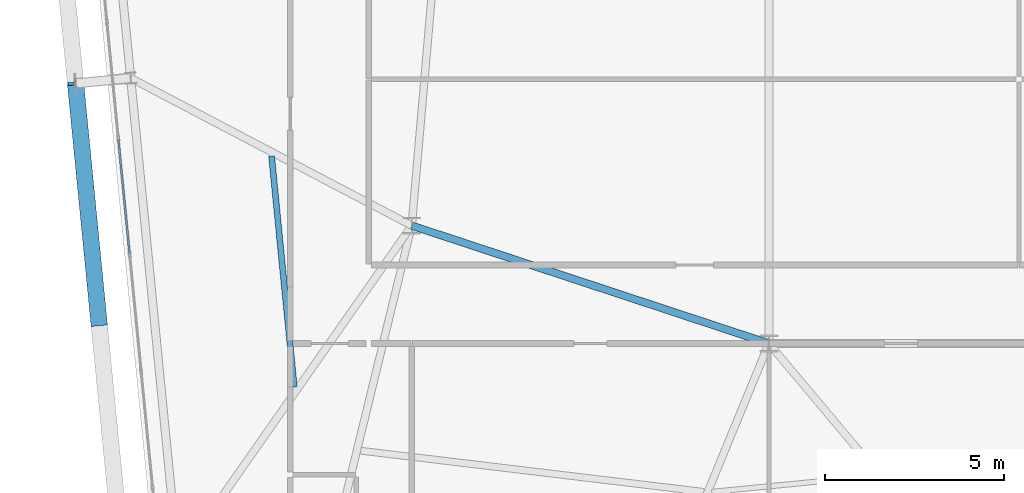
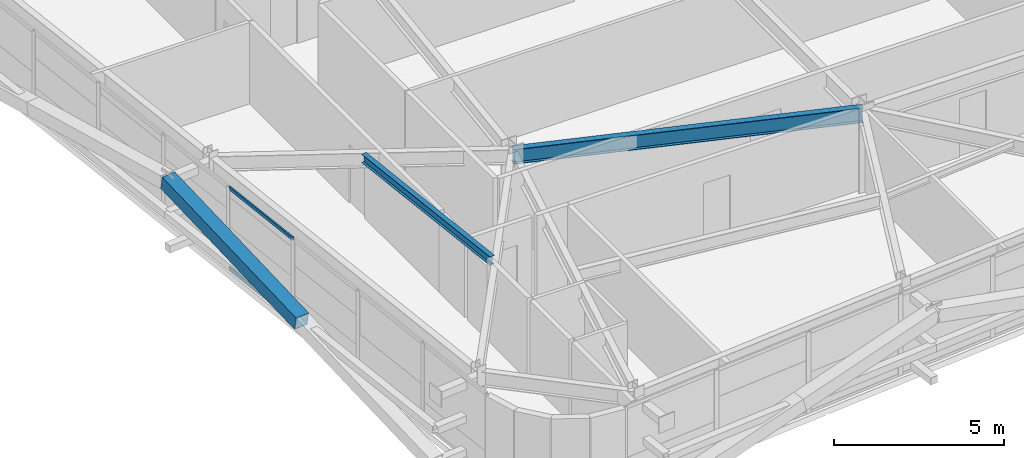
# One storey, part 9 of 52: 3 members, 2 beams, 1 element without a shape of its own.
"""IFC4 building model written with IfcOpenShell, lengths in metres."""

from ifc_helpers import new_model, si_unit, direction, frame, origin, origin_2d, place, context, subcontext, project, spatial, hollow_rectangle, i_section, extrude, source, transform, mapped, material, layer, layer_set, material_profile, profile_set, type_object, element, aggregate, save


model = new_model("IFC4")

# Units and contexts
model_context = context("Model", 3, precision=1e-05, world=origin(), true_north=direction((0.0, 1.0)))
body_context = subcontext(model_context, "Body", "Model", "MODEL_VIEW")
ifc_project = project(units=[si_unit("LENGTHUNIT", "METRE"), si_unit("AREAUNIT", "SQUARE_METRE"), si_unit("VOLUMEUNIT", "CUBIC_METRE"), si_unit("PLANEANGLEUNIT", "RADIAN"), si_unit("MASSUNIT", "GRAM", prefix="KILO")], contexts=[model_context])

# Site, building, storey
site_placement = place(None, origin())
site = spatial("IfcSite", under=ifc_project, at=site_placement, CompositionType="ELEMENT")
building_placement = place(site_placement, origin())
building = spatial("IfcBuilding", under=site, at=building_placement, Name="Taldren Reach Tower", CompositionType="ELEMENT")
storey_placement = place(building_placement, frame((0.0, 0.0, 74.550048828125)))
storey = spatial("IfcBuildingStorey", under=building, at=storey_placement, Name="L22", CompositionType="ELEMENT", Elevation=74.550048828125)

# Beams
ifc_material_1 = material(Name="Steel Gr 350 (350PLUS)", Category="steel")
ifc_material_profile_1 = material_profile(ifc_material_1, i_section(OverallWidth=0.208984375, OverallDepth=0.532958984375, WebThickness=0.01025390625, FlangeThickness=0.015625, at=origin_2d()), Name="530UB92.4")
ifc_profile_set_1 = profile_set([ifc_material_profile_1], Name="Steel Gr 350 (350PLUS)")
beam_type_1 = type_object("IfcBeamType", Name="BM-UB530A", PredefinedType="BEAM", material=ifc_profile_set_1)
shared_shape_1 = source(origin(), body_context, "Body", "SweptSolid", [
    extrude(i_section(OverallWidth=0.208984375, OverallDepth=0.532958984375, WebThickness=0.01025390625, FlangeThickness=0.015625, at=origin_2d()), origin(), (0.0, 0.0, 1.0), 10.530517578125),
])
beam_1_placement = place(storey_placement, frame((18.0, 12.5, 2.663330078125), z_axis=(0.949627269203, -0.313381635689, 0.0), x_axis=(0.313381635689, 0.949627269203, 0.0)))
element("IfcBeam", 1, at=beam_1_placement, inside=storey, type_object=beam_type_1, Name="Core-spine girder L22-SP10", PredefinedType="BEAM", context=body_context, shape_type="MappedRepresentation", body=[
    mapped(shared_shape_1, transform((0.0, 0.0, 0.0), scale=1.0)),
])
ifc_material_2 = material(Name="Steel Gr 300 (300PLUS, 300 MPa)", Category="steel")
ifc_material_profile_2 = material_profile(ifc_material_2, i_section(OverallWidth=0.166015625, OverallDepth=0.306884765625, WebThickness=0.006591796875, FlangeThickness=0.01171875, at=origin_2d()), Name="310UB46.2")
ifc_profile_set_2 = profile_set([ifc_material_profile_2], Name="Steel Gr 300 (300PLUS, 300 MPa)")
beam_type_2 = type_object("IfcBeamType", Name="JS-UB310", PredefinedType="JOIST", material=ifc_profile_set_2)
shared_shape_2 = source(origin(), body_context, "Body", "SweptSolid", [
    extrude(i_section(OverallWidth=0.166015625, OverallDepth=0.306884765625, WebThickness=0.006591796875, FlangeThickness=0.01171875, at=origin_2d()), origin(), (0.0, 0.0, 1.0), 6.489501953125),
])
beam_2_placement = place(storey_placement, frame((14.710693359375, 7.982666015625, 2.7763671875), z_axis=(-0.097588959486, 0.995226805802, 0.0), x_axis=(-0.995226805802, -0.097588959486, 0.0)))
element("IfcBeam", 2, at=beam_2_placement, inside=storey, type_object=beam_type_2, Name="Secondary floor joist B2 J6 L22", PredefinedType="JOIST", context=body_context, shape_type="MappedRepresentation", body=[
    mapped(shared_shape_2, transform((0.0, 0.0, 0.0), scale=1.0)),
])

# Member
ifc_material_3 = material(Name="Steel Gr 450 (C450L0)", Category="steel")
ifc_material_profile_3 = material_profile(ifc_material_3, hollow_rectangle(XDim=0.4599609375, YDim=0.4599609375, WallThickness=0.01611328125, at=origin_2d()), Name="460x460x16.0SHS")
ifc_profile_set_3 = profile_set([ifc_material_profile_3], Name="Steel Gr 450 (C450L0)")
member_type_1 = type_object("IfcMemberType", Name="MB-EXO457", PredefinedType="BRACE", material=ifc_profile_set_3)
shared_shape_3 = source(origin(), body_context, "Body", "SweptSolid", [
    extrude(hollow_rectangle(XDim=0.4599609375, YDim=0.4599609375, WallThickness=0.01611328125, at=origin_2d()), origin(), (0.0, 0.0, 1.0), 6.8828125),
])
member_1_placement = place(storey_placement, frame((9.2490234375, 9.7373046875, 1.43505859375), z_axis=(-0.096055397146, 0.979601884409, 0.176503565804), x_axis=(-0.995226946838, -0.097587521166, 0.0)))
element("IfcMember", 3, at=member_1_placement, inside=storey, type_object=member_type_1, Name="Exoskeleton Diagrid Brace B2-W1 L22", PredefinedType="BRACE", context=body_context, shape_type="MappedRepresentation", body=[
    mapped(shared_shape_3, transform((0.0, 0.0, 0.0), scale=1.0)),
])

# Curtain wall, members
ifc_material_4 = material(Name="Aluminium and Low-E Glass Unitised System", Category="aluminium")
ifc_layer = layer(ifc_material_4, 0.159912109375)
ifc_layer_set = layer_set([ifc_layer], Name="Aluminium and Low-E Glass Unitised System")
curtain_wall_type = type_object("IfcCurtainWallType", Name="CW-SYS-3", PredefinedType="NOTDEFINED", material=ifc_layer_set)
curtain_wall_placement = place(storey_placement, origin())
curtain_wall = element("IfcCurtainWall", 4, at=curtain_wall_placement, inside=storey, type_object=curtain_wall_type, Name="Unitised curtain wall CW-L22-W", PredefinedType="NOTDEFINED")
ifc_material_5 = material(Name="Anodised Aluminium 6063-T6", Category="aluminium")
ifc_material_profile_4 = material_profile(ifc_material_5, hollow_rectangle(XDim=0.054931640625, YDim=0.1201171875, WallThickness=0.0029296875, at=origin_2d()), Name="ALU-120x55x3RHS")
ifc_profile_set_4 = profile_set([ifc_material_profile_4], Name="Anodised Aluminium 6063-T6")
member_type_2 = type_object("IfcMemberType", Name="CW-TRN-135", PredefinedType="USERDEFINED", material=ifc_profile_set_4)
shared_shape_4 = source(origin(), body_context, "Body", "SweptSolid", [
    extrude(hollow_rectangle(XDim=0.054931640625, YDim=0.1201171875, WallThickness=0.0029296875, at=origin_2d()), origin(), (0.0, 0.0, 1.0), 3.212890625),
])
member_2_placement = place(storey_placement, frame((9.7861328125, 14.91796875, 0.02734375), z_axis=(0.097569948235, -0.995228669805, 0.0), x_axis=(0.995228669805, 0.097569948235, 0.0)))
member_2 = element("IfcMember", 5, at=member_2_placement, type_object=member_type_2, Name="CW-3 transom 6.1", ObjectType="TRANSOM", PredefinedType="USERDEFINED", context=body_context, shape_type="MappedRepresentation", body=[
    mapped(shared_shape_4, transform((0.0, 0.0, 0.0), scale=1.0)),
])
member_3_placement = place(storey_placement, frame((9.7861328125, 14.91796875, 2.90234375), z_axis=(0.097569948235, -0.995228669805, 0.0), x_axis=(0.995228669805, 0.097569948235, 0.0)))
member_3 = element("IfcMember", 6, at=member_3_placement, type_object=member_type_2, Name="CW-3 transom 6.2", ObjectType="TRANSOM", PredefinedType="USERDEFINED", context=body_context, shape_type="MappedRepresentation", body=[
    mapped(shared_shape_4, transform((0.0, 0.0, 0.0), scale=1.0)),
])
aggregate(curtain_wall, [member_2, member_3])

save(model, "model.ifc")
